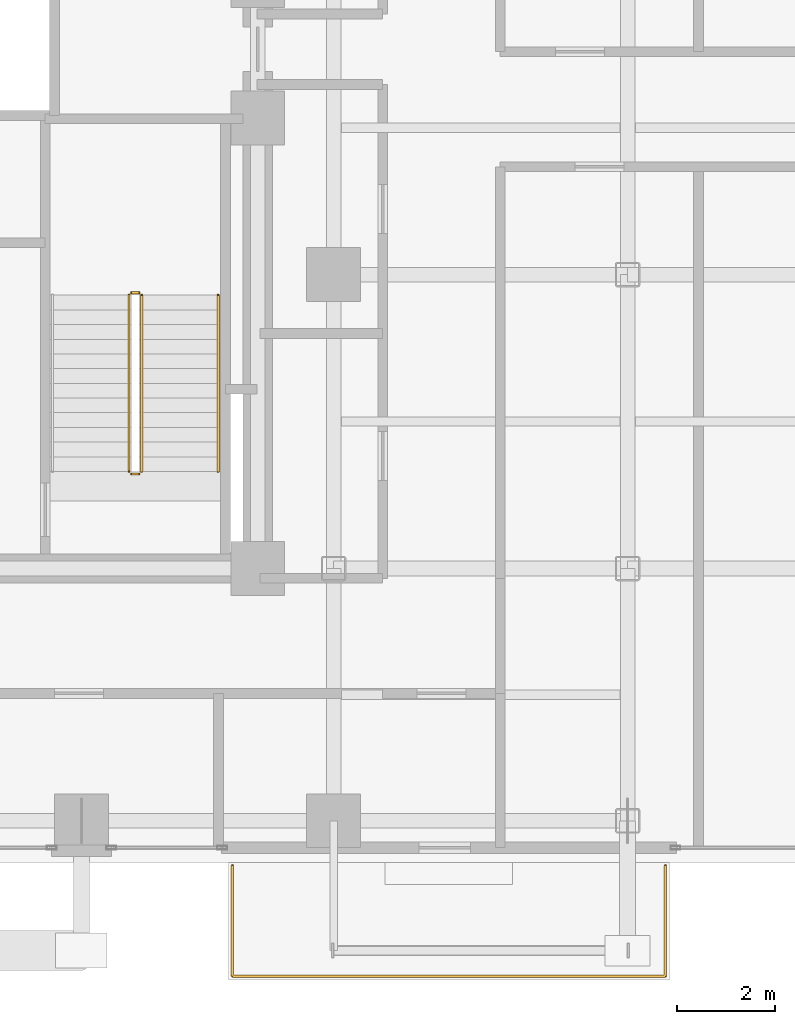
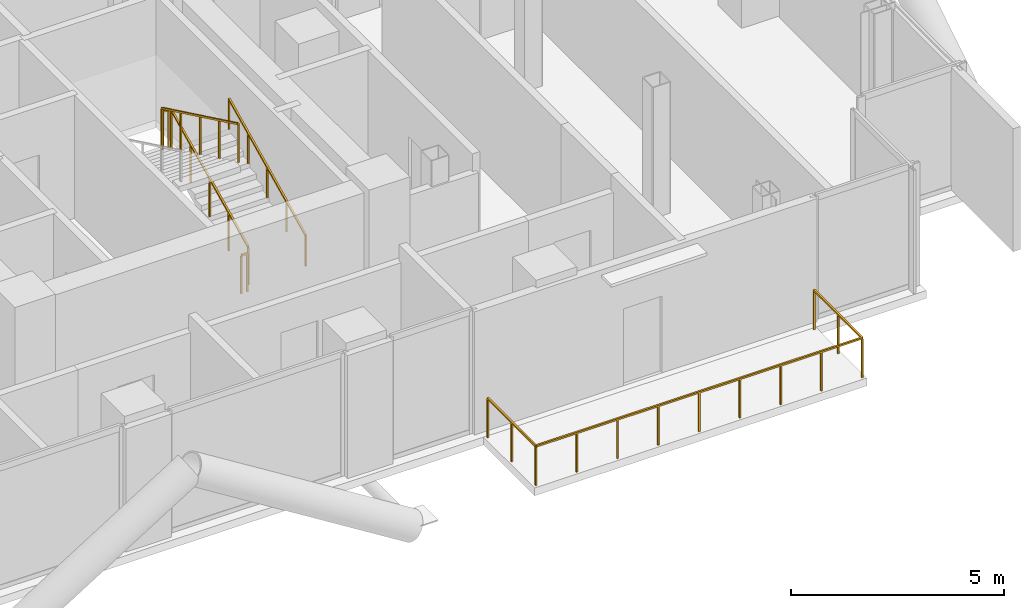
# One storey, part 27 of 28: 6 railings.
"""IFC4 building model written with IfcOpenShell, lengths in metres."""

from ifc_helpers import new_model, si_unit, direction, frame, origin, origin_2d, place, context, subcontext, project, spatial, rectangle, extrude, material, type_object, element, save


model = new_model("IFC4")

# Units and contexts
model_context = context("Model", 3, precision=1e-05, world=origin(), true_north=direction((0.0, 1.0)))
body_context = subcontext(model_context, "Body", "Model", "MODEL_VIEW")
ifc_project = project(units=[si_unit("LENGTHUNIT", "METRE"), si_unit("AREAUNIT", "SQUARE_METRE"), si_unit("VOLUMEUNIT", "CUBIC_METRE"), si_unit("PLANEANGLEUNIT", "RADIAN"), si_unit("MASSUNIT", "GRAM", prefix="KILO"), si_unit("THERMODYNAMICTEMPERATUREUNIT", "KELVIN"), si_unit("POWERUNIT", "WATT")], contexts=[model_context])

# Site, building, storey
site_placement = place(None, origin())
site = spatial("IfcSite", under=ifc_project, at=site_placement, CompositionType="ELEMENT")
building_placement = place(site_placement, origin())
building = spatial("IfcBuilding", under=site, at=building_placement, Name="Svarakhadi Broadcast Tower", CompositionType="ELEMENT")
storey_placement = place(building_placement, frame((0.0, 0.0, 119.39990234375)))
storey = spatial("IfcBuildingStorey", under=building, at=storey_placement, Name="L28", CompositionType="ELEMENT", Elevation=119.39990234375)

# Railings
ifc_material_1 = material(Name="Laminated Structural SentryGlas Balustrade 25.5 mm", Category="glass")
railing_type_1 = type_object("IfcRailingType", Name="Guard_Balcony_GR01", PredefinedType="BALUSTRADE", material=ifc_material_1)
railing_1_placement = place(storey_placement, frame((33.080078125, -0.06005859375, 0.0)))
element("IfcRailing", 1, at=railing_1_placement, inside=storey, type_object=railing_type_1, Name="L28 South Tree Balcony Guard GR-05", PredefinedType="BALUSTRADE", context=body_context, shape_type="SweptSolid", body=[
    extrude(rectangle(XDim=0.048095703125, YDim=0.048095703125, at=origin_2d()), frame((0.0, 0.0, 1.1259765625), z_axis=(0.0, -1.0, 0.0), x_axis=(1.0, 0.0, 0.0)), (0.0, 0.0, 1.0), 2.260009765625),
    extrude(rectangle(XDim=0.048095703125, YDim=0.048095703125, at=origin_2d()), frame((0.0, -2.260009765625, 1.1259765625), z_axis=(1.0, 0.0, 0.0), x_axis=(0.0, 1.0, 0.0)), (0.0, 0.0, 1.0), 8.83984375),
    extrude(rectangle(XDim=0.048095703125, YDim=0.048095703125, at=origin_2d()), frame((8.83984375, -2.260009765625, 1.1259765625), z_axis=(0.0, 1.0, 0.0), x_axis=(-1.0, 0.0, 0.0)), (0.0, 0.0, 1.0), 2.260009765625),
    extrude(rectangle(XDim=0.0419921875, YDim=0.0419921875, at=origin_2d()), origin(), (0.0, 0.0, 1.0), 1.101806640625),
    extrude(rectangle(XDim=0.0419921875, YDim=0.0419921875, at=origin_2d()), frame((0.0, -1.1298828125, 0.0)), (0.0, 0.0, 1.0), 1.101806640625),
    extrude(rectangle(XDim=0.0419921875, YDim=0.0419921875, at=origin_2d()), frame((0.0, -2.260009765625, 0.0)), (0.0, 0.0, 1.0), 1.101806640625),
    extrude(rectangle(XDim=0.0419921875, YDim=0.0419921875, at=origin_2d()), frame((1.10498046875, -2.260009765625, 0.0)), (0.0, 0.0, 1.0), 1.101806640625),
    extrude(rectangle(XDim=0.0419921875, YDim=0.0419921875, at=origin_2d()), frame((2.2099609375, -2.260009765625, 0.0)), (0.0, 0.0, 1.0), 1.101806640625),
    extrude(rectangle(XDim=0.0419921875, YDim=0.0419921875, at=origin_2d()), frame((3.31494140625, -2.260009765625, 0.0)), (0.0, 0.0, 1.0), 1.101806640625),
    extrude(rectangle(XDim=0.0419921875, YDim=0.0419921875, at=origin_2d()), frame((4.419921875, -2.260009765625, 0.0)), (0.0, 0.0, 1.0), 1.101806640625),
    extrude(rectangle(XDim=0.0419921875, YDim=0.0419921875, at=origin_2d()), frame((5.52490234375, -2.260009765625, 0.0)), (0.0, 0.0, 1.0), 1.101806640625),
    extrude(rectangle(XDim=0.0419921875, YDim=0.0419921875, at=origin_2d()), frame((6.6298828125, -2.260009765625, 0.0)), (0.0, 0.0, 1.0), 1.101806640625),
    extrude(rectangle(XDim=0.0419921875, YDim=0.0419921875, at=origin_2d()), frame((7.73486328125, -2.260009765625, 0.0)), (0.0, 0.0, 1.0), 1.101806640625),
    extrude(rectangle(XDim=0.0419921875, YDim=0.0419921875, at=origin_2d()), frame((8.83984375, -2.260009765625, 0.0)), (0.0, 0.0, 1.0), 1.101806640625),
    extrude(rectangle(XDim=0.0419921875, YDim=0.0419921875, at=origin_2d()), frame((8.83984375, -1.1298828125, 0.0)), (0.0, 0.0, 1.0), 1.101806640625),
    extrude(rectangle(XDim=0.0419921875, YDim=0.0419921875, at=origin_2d()), frame((8.83984375, 0.0, 0.0)), (0.0, 0.0, 1.0), 1.101806640625),
])
ifc_material_2 = material(Name="Anodised Bronze Aluminium AA 6063-T6", Category="aluminium")
railing_type_2 = type_object("IfcRailingType", Name="Guard_Stair_GR01", PredefinedType="GUARDRAIL", material=ifc_material_2)
railing_2_placement = place(storey_placement, frame((31.22998046875, 7.97998046875, 0.144287109375)))
element("IfcRailing", 2, at=railing_2_placement, inside=storey, type_object=railing_type_2, Name="L28 ST-02 stair guard 1", PredefinedType="GUARDRAIL", context=body_context, shape_type="SweptSolid", body=[
    extrude(rectangle(XDim=0.048095703125, YDim=0.048095703125, at=origin_2d()), frame((0.0, 0.0, 1.09619140625), z_axis=(0.0, 0.901262522062, 0.433273431364), x_axis=(-1.0, 0.0, 0.0)), (0.0, 0.0, 1.0), 3.994384765625),
    extrude(rectangle(XDim=0.0419921875, YDim=0.0419921875, at=origin_2d()), origin(), (0.0, 0.0, 1.0), 1.072021484375),
    extrude(rectangle(XDim=0.0419921875, YDim=0.0419921875, at=origin_2d()), frame((0.0, 0.89990234375, 0.4326171875)), (0.0, 0.0, 1.0), 1.072021484375),
    extrude(rectangle(XDim=0.0419921875, YDim=0.0419921875, at=origin_2d()), frame((0.0, 1.800048828125, 0.865234375)), (0.0, 0.0, 1.0), 1.072021484375),
    extrude(rectangle(XDim=0.0419921875, YDim=0.0419921875, at=origin_2d()), frame((0.0, 2.7001953125, 1.298095703125)), (0.0, 0.0, 1.0), 1.072021484375),
    extrude(rectangle(XDim=0.0419921875, YDim=0.0419921875, at=origin_2d()), frame((0.0, 3.60009765625, 1.730712890625)), (0.0, 0.0, 1.0), 1.072021484375),
])
railing_3_placement = place(storey_placement, frame((31.179931640625, 11.6298828125, 1.875)))
element("IfcRailing", 3, at=railing_3_placement, inside=storey, type_object=railing_type_2, Name="L28 ST-02 stair guard 2", PredefinedType="GUARDRAIL", context=body_context, shape_type="SweptSolid", body=[
    extrude(rectangle(XDim=0.048095703125, YDim=0.048095703125, at=origin_2d()), frame((0.0, 0.0, 1.09619140625), z_axis=(-1.0, 0.0, 0.0), x_axis=(0.0, -1.0, 0.0)), (0.0, 0.0, 1.0), 0.159912109375),
    extrude(rectangle(XDim=0.0419921875, YDim=0.0419921875, at=origin_2d()), origin(), (0.0, 0.0, 1.0), 1.072021484375),
    extrude(rectangle(XDim=0.0419921875, YDim=0.0419921875, at=origin_2d()), frame((-0.159912109375, 0.0, 0.0)), (0.0, 0.0, 1.0), 1.072021484375),
])
railing_4_placement = place(storey_placement, frame((30.969970703125, 11.580078125, 2.019287109375)))
element("IfcRailing", 4, at=railing_4_placement, inside=storey, type_object=railing_type_2, Name="L28 ST-02 stair guard 3", PredefinedType="GUARDRAIL", context=body_context, shape_type="SweptSolid", body=[
    extrude(rectangle(XDim=0.048095703125, YDim=0.048095703125, at=origin_2d()), frame((0.0, 0.0, 1.09619140625), z_axis=(0.0, -0.901262522062, 0.433273431364), x_axis=(1.0, 0.0, 0.0)), (0.0, 0.0, 1.0), 3.994384765625),
    extrude(rectangle(XDim=0.0419921875, YDim=0.0419921875, at=origin_2d()), origin(), (0.0, 0.0, 1.0), 1.072021484375),
    extrude(rectangle(XDim=0.0419921875, YDim=0.0419921875, at=origin_2d()), frame((0.0, -0.89990234375, 0.4326171875)), (0.0, 0.0, 1.0), 1.072021484375),
    extrude(rectangle(XDim=0.0419921875, YDim=0.0419921875, at=origin_2d()), frame((0.0, -1.800048828125, 0.865234375)), (0.0, 0.0, 1.0), 1.072021484375),
    extrude(rectangle(XDim=0.0419921875, YDim=0.0419921875, at=origin_2d()), frame((0.0, -2.7001953125, 1.298095703125)), (0.0, 0.0, 1.0), 1.072021484375),
    extrude(rectangle(XDim=0.0419921875, YDim=0.0419921875, at=origin_2d()), frame((0.0, -3.60009765625, 1.730712890625)), (0.0, 0.0, 1.0), 1.072021484375),
])
railing_5_placement = place(storey_placement, frame((31.179931640625, 7.929931640625, 0.0)))
element("IfcRailing", 5, at=railing_5_placement, inside=storey, type_object=railing_type_2, Name="L28 ST-02 stair guard 4", PredefinedType="GUARDRAIL", context=body_context, shape_type="SweptSolid", body=[
    extrude(rectangle(XDim=0.048095703125, YDim=0.048095703125, at=origin_2d()), frame((0.0, 0.0, 1.09619140625), z_axis=(-1.0, 0.0, 0.0), x_axis=(0.0, -1.0, 0.0)), (0.0, 0.0, 1.0), 0.159912109375),
    extrude(rectangle(XDim=0.0419921875, YDim=0.0419921875, at=origin_2d()), origin(), (0.0, 0.0, 1.0), 1.072021484375),
    extrude(rectangle(XDim=0.0419921875, YDim=0.0419921875, at=origin_2d()), frame((-0.159912109375, 0.0, 0.0)), (0.0, 0.0, 1.0), 1.072021484375),
])
railing_type_3 = type_object("IfcRailingType", Name="Handrail_Stair_HR01", PredefinedType="HANDRAIL", material=ifc_material_2)
railing_6_placement = place(storey_placement, frame((32.7900390625, 7.97998046875, 0.144287109375)))
element("IfcRailing", 6, at=railing_6_placement, inside=storey, type_object=railing_type_3, Name="L28 ST-02 stair handrail 1", PredefinedType="HANDRAIL", context=body_context, shape_type="SweptSolid", body=[
    extrude(rectangle(XDim=0.048095703125, YDim=0.048095703125, at=origin_2d()), frame((0.0, 0.0, 0.8759765625), z_axis=(0.0, 0.901262522062, 0.433273431364), x_axis=(-1.0, 0.0, 0.0)), (0.0, 0.0, 1.0), 3.994384765625),
    extrude(rectangle(XDim=0.0419921875, YDim=0.0419921875, at=origin_2d()), origin(), (0.0, 0.0, 1.0), 0.851806640625),
    extrude(rectangle(XDim=0.0419921875, YDim=0.0419921875, at=origin_2d()), frame((0.0, 0.89990234375, 0.4326171875)), (0.0, 0.0, 1.0), 0.851806640625),
    extrude(rectangle(XDim=0.0419921875, YDim=0.0419921875, at=origin_2d()), frame((0.0, 1.800048828125, 0.865234375)), (0.0, 0.0, 1.0), 0.851806640625),
    extrude(rectangle(XDim=0.0419921875, YDim=0.0419921875, at=origin_2d()), frame((0.0, 2.7001953125, 1.298095703125)), (0.0, 0.0, 1.0), 0.851806640625),
    extrude(rectangle(XDim=0.0419921875, YDim=0.0419921875, at=origin_2d()), frame((0.0, 3.60009765625, 1.730712890625)), (0.0, 0.0, 1.0), 0.851806640625),
])

save(model, "model.ifc")
